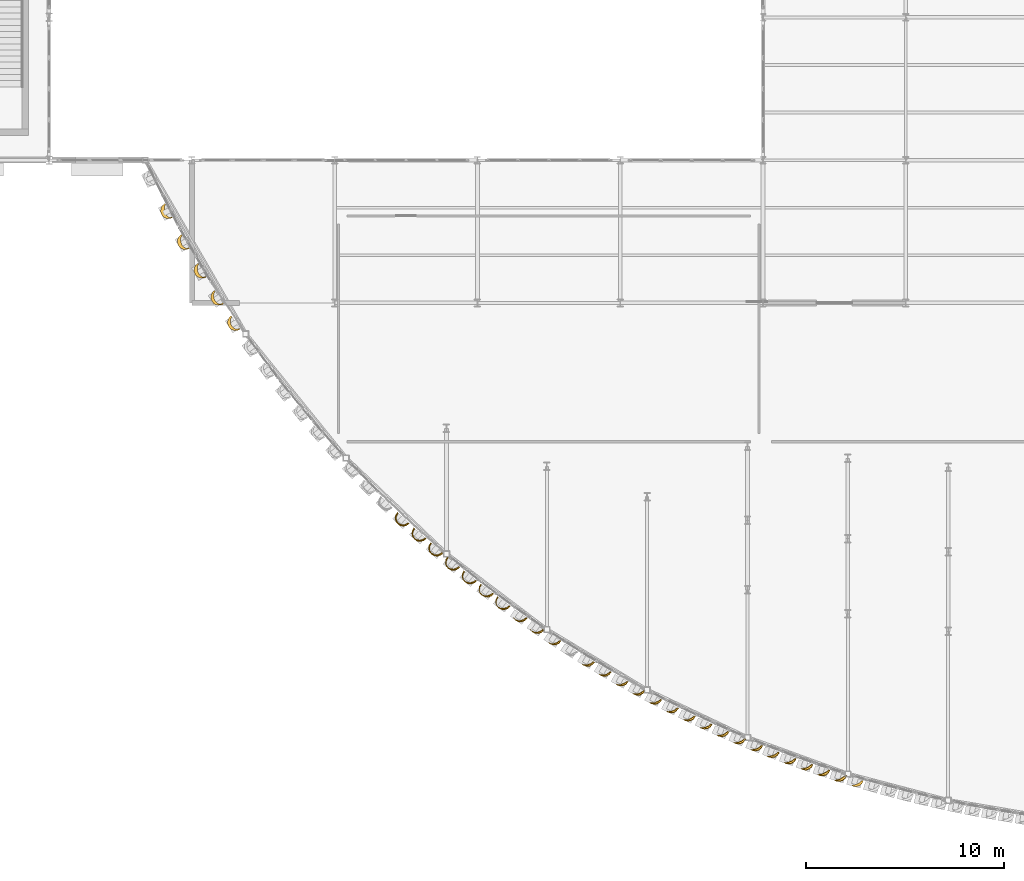
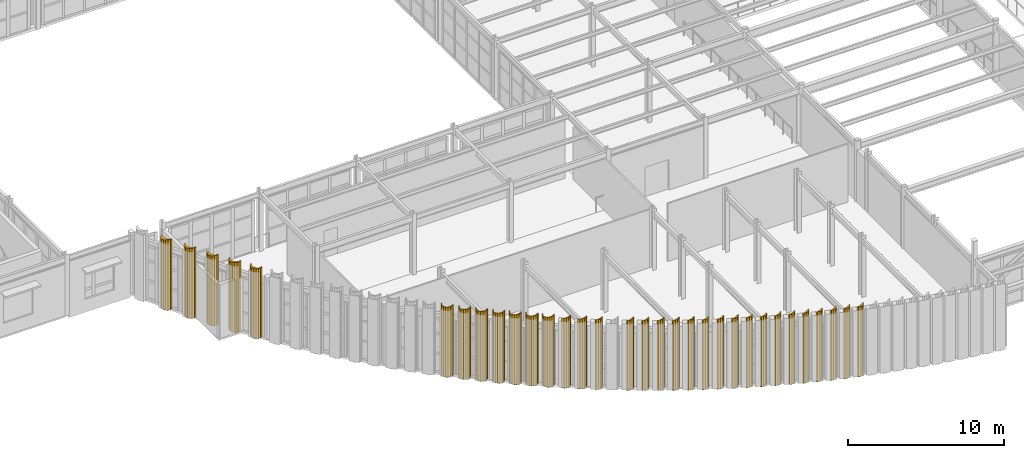
# One storey, part 114 of 126: 32 coverings.
"""IFC4 building model written with IfcOpenShell, lengths in metres."""

from ifc_helpers import new_model, si_unit, direction, frame, origin, place, context, subcontext, project, spatial, polyline, outline, extrude, material, layer, layer_set, type_object, element, save


model = new_model("IFC4")

# Units and contexts
model_context = context("Model", 3, precision=1e-05, world=origin(), true_north=direction((0.0, 1.0)))
body_context = subcontext(model_context, "Body", "Model", "MODEL_VIEW")
ifc_project = project(units=[si_unit("LENGTHUNIT", "METRE"), si_unit("AREAUNIT", "SQUARE_METRE"), si_unit("VOLUMEUNIT", "CUBIC_METRE"), si_unit("PLANEANGLEUNIT", "RADIAN"), si_unit("MASSUNIT", "GRAM", prefix="KILO")], contexts=[model_context])

# Site, building, storey
site_placement = place(None, origin())
site = spatial("IfcSite", under=ifc_project, at=site_placement, CompositionType="ELEMENT")
building_placement = place(site_placement, origin())
building = spatial("IfcBuilding", under=site, at=building_placement, Name="Solvadek Multi-Sports Hall", CompositionType="ELEMENT")
storey_placement = place(building_placement, frame((0.0, 0.0, 9.60009765625)))
storey = spatial("IfcBuildingStorey", under=building, at=storey_placement, Name="L02", CompositionType="ELEMENT", Elevation=9.60009765625)

# Coverings
ifc_material = material(Name="Perforated champagne-bronze anodised aluminium", Category="aluminium")
ifc_layer = layer(ifc_material, 0.06494140625, Name="Perforated champagne-bronze anodised aluminium")
ifc_layer_set = layer_set([ifc_layer], Name="Perforated champagne-bronze anodised aluminium")
covering_type = type_object("IfcCoveringType", Name="ENV-COV-FLUTED", PredefinedType="CLADDING", material=ifc_layer_set)
covering_1_placement = place(storey_placement, frame((0.0, 0.0, 0.010009765625)))
element("IfcCovering", 1, at=covering_1_placement, inside=storey, type_object=covering_type, Name="L02 Perforated Bronze Half-Cylinder Fluted Shell #4", PredefinedType="CLADDING", context=body_context, shape_type="SweptSolid", body=[
    extrude(outline(polyline([(27.815673828125, 17.489013671875), (27.66162109375, 17.446044921875), (27.502685546875, 17.46533203125), (27.36328125, 17.543701171875), (27.2646484375, 17.669677734375), (27.2216796875, 17.82373046875), (27.240966796875, 17.982666015625), (27.319580078125, 18.1220703125), (27.4453125, 18.220703125), (27.474853515625, 18.16259765625), (27.427001953125, 18.07958984375), (27.41015625, 17.96240234375), (27.427001953125, 17.82861328125), (27.474853515625, 17.69921875), (27.546142578125, 17.593017578125), (27.630615234375, 17.527099609375), (27.71484375, 17.5107421875), (27.786376953125, 17.547119140625), (27.815673828125, 17.489013671875)])), origin(), (0.0, 0.0, 1.0), 5.489990234375),
])
covering_2_placement = place(storey_placement, frame((0.0, 0.0, 0.010009765625)))
element("IfcCovering", 2, at=covering_2_placement, inside=storey, type_object=covering_type, Name="L02 Perforated Bronze Half-Cylinder Fluted Shell #7", PredefinedType="CLADDING", context=body_context, shape_type="SweptSolid", body=[
    extrude(outline(polyline([(28.683837890625, 15.94140625), (28.53271484375, 15.88916015625), (28.373046875, 15.898681640625), (28.229248046875, 15.968505859375), (28.123046875, 16.08837890625), (28.07080078125, 16.239501953125), (28.080322265625, 16.399169921875), (28.150146484375, 16.543212890625), (28.27001953125, 16.649169921875), (28.302734375, 16.593017578125), (28.249267578125, 16.50390625), (28.23046875, 16.3828125), (28.249267578125, 16.248291015625), (28.302734375, 16.12109375), (28.382568359375, 16.0205078125), (28.476806640625, 15.961669921875), (28.5712890625, 15.95361328125), (28.651123046875, 15.99755859375), (28.683837890625, 15.94140625)])), origin(), (0.0, 0.0, 1.0), 5.489990234375),
])
covering_3_placement = place(storey_placement, frame((0.0, 0.0, 0.010009765625)))
element("IfcCovering", 3, at=covering_3_placement, inside=storey, type_object=covering_type, Name="L02 Perforated Bronze Half-Cylinder Fluted Shell #8", PredefinedType="CLADDING", context=body_context, shape_type="SweptSolid", body=[
    extrude(outline(polyline([(29.52734375, 14.499755859375), (29.376220703125, 14.447509765625), (29.21630859375, 14.45703125), (29.072509765625, 14.52685546875), (28.96630859375, 14.646484375), (28.9140625, 14.797607421875), (28.923583984375, 14.95751953125), (28.99365234375, 15.101318359375), (29.11328125, 15.20751953125), (29.14599609375, 15.1513671875), (29.0927734375, 15.06201171875), (29.073974609375, 14.94091796875), (29.0927734375, 14.806640625), (29.14599609375, 14.679443359375), (29.22607421875, 14.57861328125), (29.3203125, 14.519775390625), (29.41455078125, 14.51171875), (29.494384765625, 14.555908203125), (29.52734375, 14.499755859375)])), origin(), (0.0, 0.0, 1.0), 5.489990234375),
])
covering_4_placement = place(storey_placement, frame((0.0, 0.0, 0.010009765625)))
element("IfcCovering", 4, at=covering_4_placement, inside=storey, type_object=covering_type, Name="L02 Perforated Bronze Half-Cylinder Fluted Shell #11", PredefinedType="CLADDING", context=body_context, shape_type="SweptSolid", body=[
    extrude(outline(polyline([(30.392822265625, 13.1484375), (30.24462890625, 13.087890625), (30.084716796875, 13.088623046875), (29.937255859375, 13.150390625), (29.82470703125, 13.26416015625), (29.76416015625, 13.412353515625), (29.764892578125, 13.572265625), (29.826904296875, 13.7197265625), (29.9404296875, 13.832275390625), (29.976318359375, 13.778076171875), (29.91796875, 13.683349609375), (29.8974609375, 13.559326171875), (29.91796875, 13.424560546875), (29.976318359375, 13.300048828125), (30.063720703125, 13.204345703125), (30.16650390625, 13.15234375), (30.26953125, 13.151611328125), (30.35693359375, 13.20263671875), (30.392822265625, 13.1484375)])), origin(), (0.0, 0.0, 1.0), 5.489990234375),
])
covering_5_placement = place(storey_placement, frame((0.0, 0.0, 0.010009765625)))
element("IfcCovering", 5, at=covering_5_placement, inside=storey, type_object=covering_type, Name="L02 Perforated Bronze Half-Cylinder Fluted Shell #12", PredefinedType="CLADDING", context=body_context, shape_type="SweptSolid", body=[
    extrude(outline(polyline([(31.236083984375, 11.873046875), (31.088134765625, 11.8125), (30.92822265625, 11.813232421875), (30.78076171875, 11.875), (30.668212890625, 11.98876953125), (30.607666015625, 12.136962890625), (30.6083984375, 12.296875), (30.670166015625, 12.4443359375), (30.783935546875, 12.556884765625), (30.81982421875, 12.502685546875), (30.761474609375, 12.407958984375), (30.740966796875, 12.283935546875), (30.761474609375, 12.149169921875), (30.81982421875, 12.024658203125), (30.906982421875, 11.928955078125), (31.010009765625, 11.876953125), (31.113037109375, 11.876220703125), (31.200439453125, 11.92724609375), (31.236083984375, 11.873046875)])), origin(), (0.0, 0.0, 1.0), 5.489990234375),
])
covering_6_placement = place(storey_placement, frame((0.0, 0.0, 0.010009765625)))
element("IfcCovering", 6, at=covering_6_placement, inside=storey, type_object=covering_type, Name="L02 Perforated Bronze Half-Cylinder Fluted Shell #32", PredefinedType="CLADDING", context=body_context, shape_type="SweptSolid", body=[
    extrude(outline(polyline([(39.756103515625, 2.073486328125), (39.625244140625, 1.981201171875), (39.46923828125, 1.946044921875), (39.3115234375, 1.973388671875), (39.176513671875, 2.058837890625), (39.084228515625, 2.189453125), (39.049072265625, 2.345703125), (39.076416015625, 2.503173828125), (39.161865234375, 2.638427734375), (39.208984375, 2.59375), (39.132080078125, 2.47998046875), (39.105224609375, 2.34716796875), (39.132080078125, 2.2158203125), (39.208984375, 2.10595703125), (39.323486328125, 2.033935546875), (39.458984375, 2.010986328125), (39.59423828125, 2.04052734375), (39.708984375, 2.1181640625), (39.756103515625, 2.073486328125)])), origin(), (0.0, 0.0, 1.0), 5.489990234375),
])
covering_7_placement = place(storey_placement, frame((0.0, 0.0, 0.010009765625)))
element("IfcCovering", 7, at=covering_7_placement, inside=storey, type_object=covering_type, Name="L02 Perforated Bronze Half-Cylinder Fluted Shell #35", PredefinedType="CLADDING", context=body_context, shape_type="SweptSolid", body=[
    extrude(outline(polyline([(40.61328125, 1.311279296875), (40.486083984375, 1.2138671875), (40.33154296875, 1.172607421875), (40.173095703125, 1.193603515625), (40.03466796875, 1.273681640625), (39.937255859375, 1.40087890625), (39.89599609375, 1.555419921875), (39.9169921875, 1.714111328125), (39.997314453125, 1.8525390625), (40.046142578125, 1.8095703125), (39.966552734375, 1.693115234375), (39.938720703125, 1.5595703125), (39.966552734375, 1.429443359375), (40.046142578125, 1.32275390625), (40.1650390625, 1.255126953125), (40.30517578125, 1.237548828125), (40.445556640625, 1.272216796875), (40.564453125, 1.35400390625), (40.61328125, 1.311279296875)])), origin(), (0.0, 0.0, 1.0), 5.489990234375),
])
covering_8_placement = place(storey_placement, frame((0.0, 0.0, 0.010009765625)))
element("IfcCovering", 8, at=covering_8_placement, inside=storey, type_object=covering_type, Name="L02 Perforated Bronze Half-Cylinder Fluted Shell #36", PredefinedType="CLADDING", context=body_context, shape_type="SweptSolid", body=[
    extrude(outline(polyline([(41.456787109375, 0.570068359375), (41.32958984375, 0.472900390625), (41.175048828125, 0.431640625), (41.0166015625, 0.45263671875), (40.8779296875, 0.53271484375), (40.78076171875, 0.65966796875), (40.739501953125, 0.814208984375), (40.760498046875, 0.972900390625), (40.8408203125, 1.111328125), (40.889404296875, 1.068359375), (40.81005859375, 0.951904296875), (40.781982421875, 0.818603515625), (40.81005859375, 0.6884765625), (40.889404296875, 0.58154296875), (41.00830078125, 0.51416015625), (41.148681640625, 0.496337890625), (41.288818359375, 0.53125), (41.40771484375, 0.613037109375), (41.456787109375, 0.570068359375)])), origin(), (0.0, 0.0, 1.0), 5.489990234375),
])
covering_9_placement = place(storey_placement, frame((0.0, 0.0, 0.010009765625)))
element("IfcCovering", 9, at=covering_9_placement, inside=storey, type_object=covering_type, Name="L02 Perforated Bronze Half-Cylinder Fluted Shell #39", PredefinedType="CLADDING", context=body_context, shape_type="SweptSolid", body=[
    extrude(outline(polyline([(42.31298828125, -0.134033203125), (42.18994140625, -0.236083984375), (42.037109375, -0.283203125), (41.877685546875, -0.268310546875), (41.736328125, -0.193359375), (41.63427734375, -0.0703125), (41.587158203125, 0.082763671875), (41.602294921875, 0.241943359375), (41.677001953125, 0.38330078125), (41.727294921875, 0.34228515625), (41.645263671875, 0.223388671875), (41.616455078125, 0.08935546875), (41.645263671875, -0.039306640625), (41.727294921875, -0.14306640625), (41.85009765625, -0.205810546875), (41.9951171875, -0.218505859375), (42.139892578125, -0.178955078125), (42.2626953125, -0.093017578125), (42.31298828125, -0.134033203125)])), origin(), (0.0, 0.0, 1.0), 5.489990234375),
])
covering_10_placement = place(storey_placement, frame((0.0, 0.0, 0.010009765625)))
element("IfcCovering", 10, at=covering_10_placement, inside=storey, type_object=covering_type, Name="L02 Perforated Bronze Half-Cylinder Fluted Shell #40", PredefinedType="CLADDING", context=body_context, shape_type="SweptSolid", body=[
    extrude(outline(polyline([(43.156494140625, -0.820068359375), (43.033203125, -0.922119140625), (42.88037109375, -0.96923828125), (42.72119140625, -0.954345703125), (42.57958984375, -0.87939453125), (42.477783203125, -0.75634765625), (42.4306640625, -0.603515625), (42.445556640625, -0.444091796875), (42.5205078125, -0.302734375), (42.57080078125, -0.34375), (42.48876953125, -0.462646484375), (42.4599609375, -0.5966796875), (42.48876953125, -0.725341796875), (42.57080078125, -0.8291015625), (42.693603515625, -0.89208984375), (42.83837890625, -0.904541015625), (42.9833984375, -0.864990234375), (43.106201171875, -0.779052734375), (43.156494140625, -0.820068359375)])), origin(), (0.0, 0.0, 1.0), 5.489990234375),
])
covering_11_placement = place(storey_placement, frame((0.0, 0.0, 0.010009765625)))
element("IfcCovering", 11, at=covering_11_placement, inside=storey, type_object=covering_type, Name="L02 Perforated Bronze Half-Cylinder Fluted Shell #43", PredefinedType="CLADDING", context=body_context, shape_type="SweptSolid", body=[
    extrude(outline(polyline([(44.01220703125, -1.471435546875), (43.892822265625, -1.577880859375), (43.74169921875, -1.630615234375), (43.58203125, -1.62158203125), (43.43798828125, -1.552001953125), (43.33154296875, -1.4326171875), (43.27880859375, -1.28173828125), (43.287841796875, -1.121826171875), (43.357421875, -0.977783203125), (43.4091796875, -1.01708984375), (43.324951171875, -1.13818359375), (43.295166015625, -1.272705078125), (43.324951171875, -1.399658203125), (43.4091796875, -1.500244140625), (43.53564453125, -1.55859375), (43.684814453125, -1.56640625), (43.833984375, -1.52197265625), (43.960205078125, -1.432373046875), (44.01220703125, -1.471435546875)])), origin(), (0.0, 0.0, 1.0), 5.489990234375),
])
covering_12_placement = place(storey_placement, frame((0.0, 0.0, 0.010009765625)))
element("IfcCovering", 12, at=covering_12_placement, inside=storey, type_object=covering_type, Name="L02 Perforated Bronze Half-Cylinder Fluted Shell #44", PredefinedType="CLADDING", context=body_context, shape_type="SweptSolid", body=[
    extrude(outline(polyline([(44.855712890625, -2.107421875), (44.736083984375, -2.2138671875), (44.585205078125, -2.2666015625), (44.42529296875, -2.257568359375), (44.281494140625, -2.18798828125), (44.1748046875, -2.068603515625), (44.122314453125, -1.91748046875), (44.13134765625, -1.7578125), (44.20068359375, -1.61376953125), (44.252685546875, -1.65283203125), (44.168212890625, -1.774169921875), (44.138671875, -1.908447265625), (44.168212890625, -2.03564453125), (44.252685546875, -2.135986328125), (44.379150390625, -2.194580078125), (44.5283203125, -2.202392578125), (44.67724609375, -2.157958984375), (44.8037109375, -2.068359375), (44.855712890625, -2.107421875)])), origin(), (0.0, 0.0, 1.0), 5.489990234375),
])
covering_13_placement = place(storey_placement, frame((0.0, 0.0, 0.010009765625)))
element("IfcCovering", 13, at=covering_13_placement, inside=storey, type_object=covering_type, Name="L02 Perforated Bronze Half-Cylinder Fluted Shell #47", PredefinedType="CLADDING", context=body_context, shape_type="SweptSolid", body=[
    extrude(outline(polyline([(45.71044921875, -2.71044921875), (45.594970703125, -2.8212890625), (45.446044921875, -2.87939453125), (45.285888671875, -2.8759765625), (45.1396484375, -2.8115234375), (45.02880859375, -2.696044921875), (44.970703125, -2.547119140625), (44.97412109375, -2.38720703125), (45.03857421875, -2.240478515625), (45.091796875, -2.27783203125), (45.005126953125, -2.401123046875), (44.974609375, -2.53564453125), (45.005126953125, -2.6611328125), (45.091796875, -2.75830078125), (45.221435546875, -2.8125), (45.37451171875, -2.815185546875), (45.527587890625, -2.766357421875), (45.6572265625, -2.67333984375), (45.71044921875, -2.71044921875)])), origin(), (0.0, 0.0, 1.0), 5.489990234375),
])
covering_14_placement = place(storey_placement, frame((0.0, 0.0, 0.010009765625)))
element("IfcCovering", 14, at=covering_14_placement, inside=storey, type_object=covering_type, Name="L02 Perforated Bronze Half-Cylinder Fluted Shell #48", PredefinedType="CLADDING", context=body_context, shape_type="SweptSolid", body=[
    extrude(outline(polyline([(46.553955078125, -3.30029296875), (46.4384765625, -3.410888671875), (46.289306640625, -3.468994140625), (46.12939453125, -3.4658203125), (45.98291015625, -3.4013671875), (45.872314453125, -3.285888671875), (45.814208984375, -3.13671875), (45.817626953125, -2.976806640625), (45.882080078125, -2.830322265625), (45.935302734375, -2.86767578125), (45.8486328125, -2.990966796875), (45.818115234375, -3.12548828125), (45.8486328125, -3.2509765625), (45.935302734375, -3.34814453125), (46.06494140625, -3.402099609375), (46.218017578125, -3.405029296875), (46.37109375, -3.356201171875), (46.500732421875, -3.26318359375), (46.553955078125, -3.30029296875)])), origin(), (0.0, 0.0, 1.0), 5.489990234375),
])
covering_15_placement = place(storey_placement, frame((0.0, 0.0, 0.010009765625)))
element("IfcCovering", 15, at=covering_15_placement, inside=storey, type_object=covering_type, Name="L02 Perforated Bronze Half-Cylinder Fluted Shell #51", PredefinedType="CLADDING", context=body_context, shape_type="SweptSolid", body=[
    extrude(outline(polyline([(47.408203125, -3.858642578125), (47.296875, -3.973388671875), (47.14990234375, -4.03662109375), (46.989990234375, -4.038818359375), (46.84130859375, -3.979736328125), (46.7265625, -3.8681640625), (46.663330078125, -3.72119140625), (46.6611328125, -3.561279296875), (46.72021484375, -3.41259765625), (46.77490234375, -3.447998046875), (46.68603515625, -3.572998046875), (46.65478515625, -3.70751953125), (46.68603515625, -3.831298828125), (46.77490234375, -3.925048828125), (46.90771484375, -3.974853515625), (47.064208984375, -3.97314453125), (47.220947265625, -3.919921875), (47.353759765625, -3.823486328125), (47.408203125, -3.858642578125)])), origin(), (0.0, 0.0, 1.0), 5.489990234375),
])
covering_16_placement = place(storey_placement, frame((0.0, 0.0, 0.010009765625)))
element("IfcCovering", 16, at=covering_16_placement, inside=storey, type_object=covering_type, Name="L02 Perforated Bronze Half-Cylinder Fluted Shell #55", PredefinedType="CLADDING", context=body_context, shape_type="SweptSolid", body=[
    extrude(outline(polyline([(49.10546875, -4.92236328125), (48.997802734375, -5.040771484375), (48.853271484375, -5.109130859375), (48.693603515625, -5.11669921875), (48.54296875, -5.062744140625), (48.424560546875, -4.955078125), (48.356201171875, -4.810302734375), (48.3486328125, -4.650634765625), (48.402587890625, -4.5), (48.45849609375, -4.533447265625), (48.36767578125, -4.66015625), (48.3359375, -4.794677734375), (48.36767578125, -4.91650390625), (48.45849609375, -5.0068359375), (48.593994140625, -5.052490234375), (48.754150390625, -5.0458984375), (48.9140625, -4.988525390625), (49.0498046875, -4.888916015625), (49.10546875, -4.92236328125)])), origin(), (0.0, 0.0, 1.0), 5.489990234375),
])
covering_17_placement = place(storey_placement, frame((0.0, 0.0, 0.010009765625)))
element("IfcCovering", 17, at=covering_17_placement, inside=storey, type_object=covering_type, Name="L02 Perforated Bronze Half-Cylinder Fluted Shell #56", PredefinedType="CLADDING", context=body_context, shape_type="SweptSolid", body=[
    extrude(outline(polyline([(49.948974609375, -5.42919921875), (49.84130859375, -5.547607421875), (49.696533203125, -5.615966796875), (49.536865234375, -5.62353515625), (49.38623046875, -5.569580078125), (49.267822265625, -5.4619140625), (49.19970703125, -5.317138671875), (49.19189453125, -5.157470703125), (49.24609375, -5.0068359375), (49.3017578125, -5.040283203125), (49.211181640625, -5.1669921875), (49.17919921875, -5.301513671875), (49.211181640625, -5.42333984375), (49.3017578125, -5.513916015625), (49.4375, -5.559326171875), (49.597412109375, -5.552734375), (49.757568359375, -5.495361328125), (49.893310546875, -5.395751953125), (49.948974609375, -5.42919921875)])), origin(), (0.0, 0.0, 1.0), 5.489990234375),
])
covering_18_placement = place(storey_placement, frame((0.0, 0.0, 0.010009765625)))
element("IfcCovering", 18, at=covering_18_placement, inside=storey, type_object=covering_type, Name="L02 Perforated Bronze Half-Cylinder Fluted Shell #59", PredefinedType="CLADDING", context=body_context, shape_type="SweptSolid", body=[
    extrude(outline(polyline([(50.802001953125, -5.906982421875), (50.698486328125, -6.029052734375), (50.556396484375, -6.10205078125), (50.396728515625, -6.114990234375), (50.244384765625, -6.066162109375), (50.12255859375, -5.96240234375), (50.049560546875, -5.8203125), (50.03662109375, -5.660888671875), (50.08544921875, -5.508544921875), (50.142333984375, -5.5400390625), (50.0498046875, -5.668212890625), (50.017333984375, -5.802490234375), (50.0498046875, -5.922119140625), (50.142333984375, -6.00927734375), (50.280517578125, -6.050537109375), (50.44384765625, -6.03955078125), (50.60693359375, -5.97802734375), (50.745361328125, -5.87548828125), (50.802001953125, -5.906982421875)])), origin(), (0.0, 0.0, 1.0), 5.489990234375),
])
covering_19_placement = place(storey_placement, frame((0.0, 0.0, 0.010009765625)))
element("IfcCovering", 19, at=covering_19_placement, inside=storey, type_object=covering_type, Name="L02 Perforated Bronze Half-Cylinder Fluted Shell #60", PredefinedType="CLADDING", context=body_context, shape_type="SweptSolid", body=[
    extrude(outline(polyline([(51.6455078125, -6.376220703125), (51.5419921875, -6.498046875), (51.399658203125, -6.571044921875), (51.240234375, -6.583984375), (51.087890625, -6.53515625), (50.966064453125, -6.431640625), (50.89306640625, -6.289306640625), (50.8798828125, -6.1298828125), (50.928955078125, -5.9775390625), (50.98583984375, -6.00927734375), (50.893310546875, -6.13720703125), (50.86083984375, -6.271484375), (50.893310546875, -6.39111328125), (50.98583984375, -6.478271484375), (51.1240234375, -6.51953125), (51.287353515625, -6.508544921875), (51.450439453125, -6.447021484375), (51.5888671875, -6.344482421875), (51.6455078125, -6.376220703125)])), origin(), (0.0, 0.0, 1.0), 5.489990234375),
])
covering_20_placement = place(storey_placement, frame((0.0, 0.0, 0.010009765625)))
element("IfcCovering", 20, at=covering_20_placement, inside=storey, type_object=covering_type, Name="L02 Perforated Bronze Half-Cylinder Fluted Shell #63", PredefinedType="CLADDING", context=body_context, shape_type="SweptSolid", body=[
    extrude(outline(polyline([(52.498291015625, -6.817138671875), (52.398681640625, -6.9423828125), (52.259033203125, -7.02001953125), (52.10009765625, -7.038330078125), (51.9462890625, -6.994384765625), (51.82080078125, -6.89501953125), (51.7431640625, -6.7548828125), (51.72509765625, -6.59619140625), (51.76904296875, -6.4423828125), (51.826904296875, -6.471923828125), (51.732666015625, -6.601318359375), (51.69970703125, -6.735107421875), (51.732666015625, -6.852783203125), (51.826904296875, -6.9365234375), (51.967529296875, -6.973388671875), (52.133544921875, -6.9580078125), (52.2998046875, -6.892822265625), (52.4404296875, -6.787353515625), (52.498291015625, -6.817138671875)])), origin(), (0.0, 0.0, 1.0), 5.489990234375),
])
covering_21_placement = place(storey_placement, frame((0.0, 0.0, 0.010009765625)))
element("IfcCovering", 21, at=covering_21_placement, inside=storey, type_object=covering_type, Name="L02 Perforated Bronze Half-Cylinder Fluted Shell #64", PredefinedType="CLADDING", context=body_context, shape_type="SweptSolid", body=[
    extrude(outline(polyline([(53.341796875, -7.25048828125), (53.2421875, -7.375732421875), (53.102294921875, -7.45361328125), (52.943603515625, -7.4716796875), (52.789794921875, -7.427734375), (52.664306640625, -7.328369140625), (52.586669921875, -7.1884765625), (52.568359375, -7.029541015625), (52.6123046875, -6.875732421875), (52.670166015625, -6.905517578125), (52.576171875, -7.034912109375), (52.543212890625, -7.168701171875), (52.576171875, -7.286376953125), (52.670166015625, -7.3701171875), (52.81103515625, -7.406982421875), (52.97705078125, -7.3916015625), (53.14306640625, -7.326171875), (53.283935546875, -7.220703125), (53.341796875, -7.25048828125)])), origin(), (0.0, 0.0, 1.0), 5.489990234375),
])
covering_22_placement = place(storey_placement, frame((0.0, 0.0, 0.010009765625)))
element("IfcCovering", 22, at=covering_22_placement, inside=storey, type_object=covering_type, Name="L02 Perforated Bronze Half-Cylinder Fluted Shell #67", PredefinedType="CLADDING", context=body_context, shape_type="SweptSolid", body=[
    extrude(outline(polyline([(54.19384765625, -7.656494140625), (54.098388671875, -7.784912109375), (53.961181640625, -7.8671875), (53.802978515625, -7.890380859375), (53.64794921875, -7.8515625), (53.519287109375, -7.756103515625), (53.437255859375, -7.618896484375), (53.413818359375, -7.460693359375), (53.452880859375, -7.305419921875), (53.51171875, -7.333251953125), (53.416015625, -7.4638671875), (53.382568359375, -7.59716796875), (53.416015625, -7.712646484375), (53.51171875, -7.792724609375), (53.65478515625, -7.82568359375), (53.823486328125, -7.805908203125), (53.9921875, -7.73681640625), (54.13525390625, -7.62890625), (54.19384765625, -7.656494140625)])), origin(), (0.0, 0.0, 1.0), 5.489990234375),
])
covering_23_placement = place(storey_placement, frame((0.0, 0.0, 0.010009765625)))
element("IfcCovering", 23, at=covering_23_placement, inside=storey, type_object=covering_type, Name="L02 Perforated Bronze Half-Cylinder Fluted Shell #68", PredefinedType="CLADDING", context=body_context, shape_type="SweptSolid", body=[
    extrude(outline(polyline([(55.037353515625, -8.05615234375), (54.94189453125, -8.1845703125), (54.8046875, -8.2666015625), (54.646484375, -8.2900390625), (54.4912109375, -8.251220703125), (54.36279296875, -8.15576171875), (54.28076171875, -8.0185546875), (54.25732421875, -7.860107421875), (54.29638671875, -7.705078125), (54.35498046875, -7.73291015625), (54.259521484375, -7.863525390625), (54.225830078125, -7.99658203125), (54.259521484375, -8.112060546875), (54.35498046875, -8.1923828125), (54.498046875, -8.22509765625), (54.666748046875, -8.20556640625), (54.83544921875, -8.136474609375), (54.978515625, -8.0283203125), (55.037353515625, -8.05615234375)])), origin(), (0.0, 0.0, 1.0), 5.489990234375),
])
covering_24_placement = place(storey_placement, frame((0.0, 0.0, 0.010009765625)))
element("IfcCovering", 24, at=covering_24_placement, inside=storey, type_object=covering_type, Name="L02 Perforated Bronze Half-Cylinder Fluted Shell #71", PredefinedType="CLADDING", context=body_context, shape_type="SweptSolid", body=[
    extrude(outline(polyline([(55.88916015625, -8.428955078125), (55.7978515625, -8.560302734375), (55.6630859375, -8.646728515625), (55.505859375, -8.67529296875), (55.349609375, -8.64111328125), (55.218017578125, -8.5498046875), (55.131591796875, -8.415283203125), (55.103271484375, -8.2578125), (55.13720703125, -8.1015625), (55.19677734375, -8.127685546875), (55.099853515625, -8.259033203125), (55.065673828125, -8.3916015625), (55.099853515625, -8.5048828125), (55.19677734375, -8.58154296875), (55.341796875, -8.610107421875), (55.51318359375, -8.586181640625), (55.684326171875, -8.513427734375), (55.82958984375, -8.40283203125), (55.88916015625, -8.428955078125)])), origin(), (0.0, 0.0, 1.0), 5.489990234375),
])
covering_25_placement = place(storey_placement, frame((0.0, 0.0, 0.010009765625)))
element("IfcCovering", 25, at=covering_25_placement, inside=storey, type_object=covering_type, Name="L02 Perforated Bronze Half-Cylinder Fluted Shell #72", PredefinedType="CLADDING", context=body_context, shape_type="SweptSolid", body=[
    extrude(outline(polyline([(56.732421875, -8.7958984375), (56.641357421875, -8.927490234375), (56.506591796875, -9.013916015625), (56.349365234375, -9.042236328125), (56.19287109375, -9.00830078125), (56.0615234375, -8.9169921875), (55.97509765625, -8.782470703125), (55.946533203125, -8.625), (55.980712890625, -8.46875), (56.040283203125, -8.49462890625), (55.943359375, -8.626220703125), (55.9091796875, -8.7587890625), (55.943359375, -8.871826171875), (56.040283203125, -8.94873046875), (56.185302734375, -8.977294921875), (56.356689453125, -8.953369140625), (56.52783203125, -8.880615234375), (56.6728515625, -8.77001953125), (56.732421875, -8.7958984375)])), origin(), (0.0, 0.0, 1.0), 5.489990234375),
])
covering_26_placement = place(storey_placement, frame((0.0, 0.0, 0.010009765625)))
element("IfcCovering", 26, at=covering_26_placement, inside=storey, type_object=covering_type, Name="L02 Perforated Bronze Half-Cylinder Fluted Shell #75", PredefinedType="CLADDING", context=body_context, shape_type="SweptSolid", body=[
    extrude(outline(polyline([(57.583740234375, -9.136962890625), (57.49658203125, -9.27099609375), (57.364990234375, -9.36181640625), (57.20849609375, -9.39501953125), (57.05126953125, -9.365966796875), (56.9169921875, -9.27880859375), (56.826416015625, -9.147216796875), (56.79296875, -8.99072265625), (56.822021484375, -8.83349609375), (56.88232421875, -8.857421875), (56.7841796875, -8.98974609375), (56.749755859375, -9.12158203125), (56.7841796875, -9.232421875), (56.88232421875, -9.3056640625), (57.029541015625, -9.330078125), (57.202880859375, -9.302001953125), (57.37646484375, -9.2255859375), (57.5234375, -9.11279296875), (57.583740234375, -9.136962890625)])), origin(), (0.0, 0.0, 1.0), 5.489990234375),
])
covering_27_placement = place(storey_placement, frame((0.0, 0.0, 0.010009765625)))
element("IfcCovering", 27, at=covering_27_placement, inside=storey, type_object=covering_type, Name="L02 Perforated Bronze Half-Cylinder Fluted Shell #76", PredefinedType="CLADDING", context=body_context, shape_type="SweptSolid", body=[
    extrude(outline(polyline([(58.42724609375, -9.472900390625), (58.340087890625, -9.607177734375), (58.20849609375, -9.69775390625), (58.052001953125, -9.731201171875), (57.89453125, -9.7021484375), (57.760498046875, -9.614990234375), (57.669677734375, -9.483154296875), (57.636474609375, -9.32666015625), (57.66552734375, -9.16943359375), (57.725830078125, -9.193603515625), (57.627685546875, -9.32568359375), (57.593017578125, -9.45751953125), (57.627685546875, -9.568359375), (57.725830078125, -9.6416015625), (57.872802734375, -9.666015625), (58.04638671875, -9.63818359375), (58.2197265625, -9.561767578125), (58.366943359375, -9.448974609375), (58.42724609375, -9.472900390625)])), origin(), (0.0, 0.0, 1.0), 5.489990234375),
])
covering_28_placement = place(storey_placement, frame((0.0, 0.0, 0.010009765625)))
element("IfcCovering", 28, at=covering_28_placement, inside=storey, type_object=covering_type, Name="L02 Perforated Bronze Half-Cylinder Fluted Shell #79", PredefinedType="CLADDING", context=body_context, shape_type="SweptSolid", body=[
    extrude(outline(polyline([(59.278076171875, -9.783203125), (59.1953125, -9.920166015625), (59.06640625, -10.014892578125), (58.910888671875, -10.052978515625), (58.752685546875, -10.02880859375), (58.615966796875, -9.94580078125), (58.521240234375, -9.81689453125), (58.483154296875, -9.66162109375), (58.50732421875, -9.50341796875), (58.568359375, -9.525634765625), (58.468994140625, -9.65869140625), (58.43408203125, -9.789306640625), (58.468994140625, -9.89794921875), (58.568359375, -9.9677734375), (58.71728515625, -9.988037109375), (58.892578125, -9.955810546875), (59.068115234375, -9.876220703125), (59.217041015625, -9.760986328125), (59.278076171875, -9.783203125)])), origin(), (0.0, 0.0, 1.0), 5.489990234375),
])
covering_29_placement = place(storey_placement, frame((0.0, 0.0, 0.010009765625)))
element("IfcCovering", 29, at=covering_29_placement, inside=storey, type_object=covering_type, Name="L02 Perforated Bronze Half-Cylinder Fluted Shell #80", PredefinedType="CLADDING", context=body_context, shape_type="SweptSolid", body=[
    extrude(outline(polyline([(60.12158203125, -10.08935546875), (60.03857421875, -10.226318359375), (59.90966796875, -10.32080078125), (59.75439453125, -10.35888671875), (59.59619140625, -10.3349609375), (59.45947265625, -10.251953125), (59.36474609375, -10.123046875), (59.326416015625, -9.9677734375), (59.3505859375, -9.8095703125), (59.411865234375, -9.831787109375), (59.3125, -9.96484375), (59.277587890625, -10.095458984375), (59.3125, -10.2041015625), (59.411865234375, -10.273681640625), (59.560546875, -10.294189453125), (59.736083984375, -10.261962890625), (59.91162109375, -10.182373046875), (60.060302734375, -10.067138671875), (60.12158203125, -10.08935546875)])), origin(), (0.0, 0.0, 1.0), 5.489990234375),
])
covering_30_placement = place(storey_placement, frame((0.0, 0.0, 0.010009765625)))
element("IfcCovering", 30, at=covering_30_placement, inside=storey, type_object=covering_type, Name="L02 Perforated Bronze Half-Cylinder Fluted Shell #83", PredefinedType="CLADDING", context=body_context, shape_type="SweptSolid", body=[
    extrude(outline(polyline([(60.971923828125, -10.3701171875), (60.893310546875, -10.50927734375), (60.767333984375, -10.60791015625), (60.61328125, -10.65087890625), (60.454345703125, -10.631591796875), (60.315185546875, -10.552978515625), (60.216552734375, -10.427001953125), (60.173583984375, -10.27294921875), (60.19287109375, -10.114013671875), (60.254638671875, -10.134521484375), (60.154296875, -10.26806640625), (60.118896484375, -10.397705078125), (60.154296875, -10.503662109375), (60.254638671875, -10.56982421875), (60.405029296875, -10.586181640625), (60.58251953125, -10.550048828125), (60.759765625, -10.467041015625), (60.91015625, -10.349609375), (60.971923828125, -10.3701171875)])), origin(), (0.0, 0.0, 1.0), 5.489990234375),
])
covering_31_placement = place(storey_placement, frame((0.0, 0.0, 0.010009765625)))
element("IfcCovering", 31, at=covering_31_placement, inside=storey, type_object=covering_type, Name="L02 Perforated Bronze Half-Cylinder Fluted Shell #84", PredefinedType="CLADDING", context=body_context, shape_type="SweptSolid", body=[
    extrude(outline(polyline([(61.8154296875, -10.647216796875), (61.73681640625, -10.786376953125), (61.61083984375, -10.885009765625), (61.456787109375, -10.927978515625), (61.2978515625, -10.90869140625), (61.15869140625, -10.830078125), (61.059814453125, -10.7041015625), (61.01708984375, -10.550048828125), (61.036376953125, -10.39111328125), (61.09814453125, -10.41162109375), (60.99755859375, -10.545166015625), (60.96240234375, -10.6748046875), (60.99755859375, -10.78076171875), (61.09814453125, -10.846923828125), (61.24853515625, -10.86328125), (61.42578125, -10.8271484375), (61.603271484375, -10.744140625), (61.753662109375, -10.626708984375), (61.8154296875, -10.647216796875)])), origin(), (0.0, 0.0, 1.0), 5.489990234375),
])
covering_32_placement = place(storey_placement, frame((0.0, 0.0, 0.010009765625)))
element("IfcCovering", 32, at=covering_32_placement, inside=storey, type_object=covering_type, Name="L02 Perforated Bronze Half-Cylinder Fluted Shell #87", PredefinedType="CLADDING", context=body_context, shape_type="SweptSolid", body=[
    extrude(outline(polyline([(62.665283203125, -10.899169921875), (62.591064453125, -11.041015625), (62.46826171875, -11.143310546875), (62.3154296875, -11.19091796875), (62.156005859375, -11.17626953125), (62.014404296875, -11.10205078125), (61.912109375, -10.97900390625), (61.864501953125, -10.826416015625), (61.87890625, -10.6669921875), (61.94140625, -10.685302734375), (61.83984375, -10.819580078125), (61.80419921875, -10.947998046875), (61.83984375, -11.051513671875), (61.94140625, -11.114013671875), (62.093017578125, -11.126220703125), (62.272216796875, -11.086181640625), (62.451416015625, -11.0), (62.60302734375, -10.880859375), (62.665283203125, -10.899169921875)])), origin(), (0.0, 0.0, 1.0), 5.489990234375),
])

save(model, "model.ifc")
